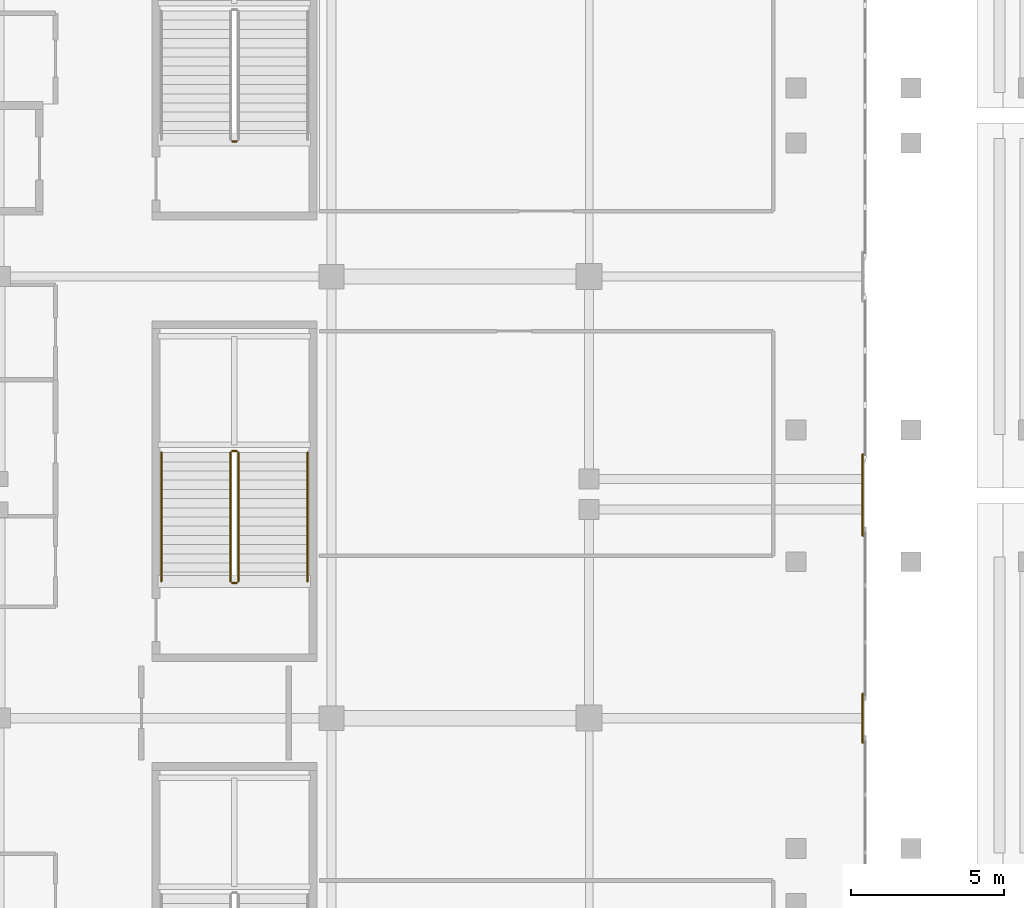
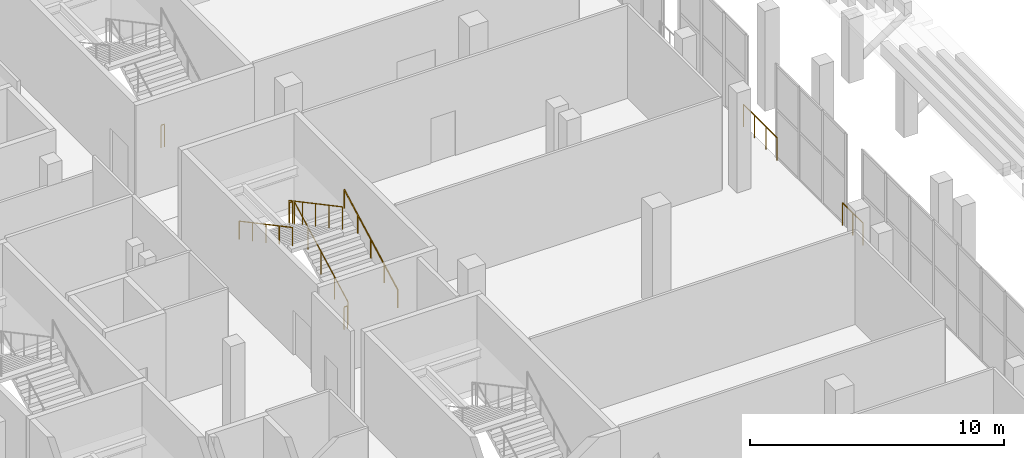
# One storey, part 121 of 142: 9 railings.
"""IFC4 building model written with IfcOpenShell, lengths in metres."""

from ifc_helpers import new_model, si_unit, direction, frame, origin, origin_2d, place, context, subcontext, project, spatial, circle, extrude, material, type_object, element, save


model = new_model("IFC4")

# Units and contexts
model_context = context("Model", 3, precision=1e-05, world=origin(), true_north=direction((0.0, 1.0)))
body_context = subcontext(model_context, "Body", "Model", "MODEL_VIEW")
ifc_project = project(units=[si_unit("LENGTHUNIT", "METRE"), si_unit("AREAUNIT", "SQUARE_METRE"), si_unit("VOLUMEUNIT", "CUBIC_METRE"), si_unit("PLANEANGLEUNIT", "RADIAN"), si_unit("MASSUNIT", "GRAM", prefix="KILO")], contexts=[model_context])

# Site, building, storey
site_placement = place(None, origin())
site = spatial("IfcSite", under=ifc_project, at=site_placement, CompositionType="ELEMENT")
building_placement = place(site_placement, origin())
building = spatial("IfcBuilding", under=site, at=building_placement, Name="Koshinbarg Plaza Stadium", CompositionType="ELEMENT")
storey_placement = place(building_placement, frame((0.0, 0.0, 10.199951171875)))
storey = spatial("IfcBuildingStorey", under=building, at=storey_placement, Name="L02", CompositionType="ELEMENT", Elevation=10.199951171875)

# Railings
ifc_material_1 = material(Name="Toughened laminated glass and stainless steel sightline balustrade", Category="steel")
railing_type_1 = type_object("IfcRailingType", Name="RL-BOWL-1100", PredefinedType="BALUSTRADE", material=ifc_material_1)
railing_1_placement = place(storey_placement, frame((63.52001953125, 77.300048828125, 0.0)))
element("IfcRailing", 1, at=railing_1_placement, inside=storey, type_object=railing_type_1, Name="L02 deck edge safety balustrade 0119", PredefinedType="BALUSTRADE", context=body_context, shape_type="SweptSolid", body=[
    extrude(circle(Radius=0.02392578125, at=origin_2d()), frame((0.0, 0.0, 1.076171875), z_axis=(0.0, -1.0, 0.0), x_axis=(1.0, 0.0, 0.0)), (0.0, 0.0, 1.0), 2.650146484375),
    extrude(circle(Radius=0.02099609375, at=origin_2d()), origin(), (0.0, 0.0, 1.0), 1.052001953125),
    extrude(circle(Radius=0.02099609375, at=origin_2d()), frame((0.0, -0.88330078125, 0.0)), (0.0, 0.0, 1.0), 1.052001953125),
    extrude(circle(Radius=0.02099609375, at=origin_2d()), frame((0.0, -1.766845703125, 0.0)), (0.0, 0.0, 1.0), 1.052001953125),
    extrude(circle(Radius=0.02099609375, at=origin_2d()), frame((0.0, -2.650146484375, 0.0)), (0.0, 0.0, 1.0), 1.052001953125),
])
railing_2_placement = place(storey_placement, frame((63.52001953125, 69.5, 0.0)))
element("IfcRailing", 2, at=railing_2_placement, inside=storey, type_object=railing_type_1, Name="L02 deck edge safety balustrade 0120", PredefinedType="BALUSTRADE", context=body_context, shape_type="SweptSolid", body=[
    extrude(circle(Radius=0.02392578125, at=origin_2d()), frame((0.0, 0.0, 1.076171875), z_axis=(0.0, -1.0, 0.0), x_axis=(1.0, 0.0, 0.0)), (0.0, 0.0, 1.0), 1.60009765625),
    extrude(circle(Radius=0.02099609375, at=origin_2d()), origin(), (0.0, 0.0, 1.0), 1.052001953125),
    extrude(circle(Radius=0.02099609375, at=origin_2d()), frame((0.0, -0.800048828125, 0.0)), (0.0, 0.0, 1.0), 1.052001953125),
    extrude(circle(Radius=0.02099609375, at=origin_2d()), frame((0.0, -1.60009765625, 0.0)), (0.0, 0.0, 1.0), 1.052001953125),
])
ifc_material_2 = material(Name="Galvanized painted steel guardrail", Category="steel")
railing_type_2 = type_object("IfcRailingType", Name="RL-GUARD-1100", PredefinedType="GUARDRAIL", material=ifc_material_2)
railing_3_placement = place(storey_placement, frame((43.159912109375, 73.159912109375, 0.16015625)))
element("IfcRailing", 3, at=railing_3_placement, inside=storey, type_object=railing_type_2, Name="L02 VX04 stair guard 1", PredefinedType="GUARDRAIL", context=body_context, shape_type="SweptSolid", body=[
    extrude(circle(Radius=0.02392578125, at=origin_2d()), frame((0.0, 0.0, 1.076171875), z_axis=(0.0, 0.882362879185, 0.470569601054), x_axis=(-1.0, 0.0, 0.0)), (0.0, 0.0, 1.0), 4.76025390625),
    extrude(circle(Radius=0.02099609375, at=origin_2d()), origin(), (0.0, 0.0, 1.0), 1.052001953125),
    extrude(circle(Radius=0.02099609375, at=origin_2d()), frame((0.0, 1.050048828125, 0.56005859375)), (0.0, 0.0, 1.0), 1.052001953125),
    extrude(circle(Radius=0.02099609375, at=origin_2d()), frame((0.0, 2.10009765625, 1.1201171875)), (0.0, 0.0, 1.0), 1.052001953125),
    extrude(circle(Radius=0.02099609375, at=origin_2d()), frame((0.0, 3.150146484375, 1.679931640625)), (0.0, 0.0, 1.0), 1.052001953125),
    extrude(circle(Radius=0.02099609375, at=origin_2d()), frame((0.0, 4.2001953125, 2.239990234375)), (0.0, 0.0, 1.0), 1.052001953125),
])
railing_4_placement = place(storey_placement, frame((43.110107421875, 77.409912109375, 2.400146484375)))
element("IfcRailing", 4, at=railing_4_placement, inside=storey, type_object=railing_type_2, Name="L02 VX04 stair guard 2", PredefinedType="GUARDRAIL", context=body_context, shape_type="SweptSolid", body=[
    extrude(circle(Radius=0.02392578125, at=origin_2d()), frame((0.0, 0.0, 1.076171875), z_axis=(-1.0, 0.0, 0.0), x_axis=(0.0, -1.0, 0.0)), (0.0, 0.0, 1.0), 0.150146484375),
    extrude(circle(Radius=0.02099609375, at=origin_2d()), origin(), (0.0, 0.0, 1.0), 1.052001953125),
    extrude(circle(Radius=0.02099609375, at=origin_2d()), frame((-0.150146484375, 0.0, 0.0)), (0.0, 0.0, 1.0), 1.052001953125),
])
railing_5_placement = place(storey_placement, frame((42.909912109375, 77.360107421875, 2.56005859375)))
element("IfcRailing", 5, at=railing_5_placement, inside=storey, type_object=railing_type_2, Name="L02 VX04 stair guard 3", PredefinedType="GUARDRAIL", context=body_context, shape_type="SweptSolid", body=[
    extrude(circle(Radius=0.02392578125, at=origin_2d()), frame((0.0, 0.0, 1.076171875), z_axis=(0.0, -0.882362879185, 0.470569601054), x_axis=(1.0, 0.0, 0.0)), (0.0, 0.0, 1.0), 4.76025390625),
    extrude(circle(Radius=0.02099609375, at=origin_2d()), origin(), (0.0, 0.0, 1.0), 1.052001953125),
    extrude(circle(Radius=0.02099609375, at=origin_2d()), frame((0.0, -1.050048828125, 0.56005859375)), (0.0, 0.0, 1.0), 1.052001953125),
    extrude(circle(Radius=0.02099609375, at=origin_2d()), frame((0.0, -2.10009765625, 1.1201171875)), (0.0, 0.0, 1.0), 1.052001953125),
    extrude(circle(Radius=0.02099609375, at=origin_2d()), frame((0.0, -3.150146484375, 1.679931640625)), (0.0, 0.0, 1.0), 1.052001953125),
    extrude(circle(Radius=0.02099609375, at=origin_2d()), frame((0.0, -4.2001953125, 2.239990234375)), (0.0, 0.0, 1.0), 1.052001953125),
])
for number, where, name in (
    (6, (43.110107421875, 73.110107421875, 0.0), "L02 VX04 stair guard 4"),
    (7, (43.110107421875, 87.510009765625, 0.0), "L02 VX05 stair guard 4"),
):
    element("IfcRailing", number, at=place(storey_placement, frame(where)), inside=storey, type_object=railing_type_2, Name=name, PredefinedType="GUARDRAIL", context=body_context, shape_type="SweptSolid", body=[
        extrude(circle(Radius=0.02392578125, at=origin_2d()), frame((0.0, 0.0, 1.076171875), z_axis=(-1.0, 0.0, 0.0), x_axis=(0.0, -1.0, 0.0)), (0.0, 0.0, 1.0), 0.150146484375),
        extrude(circle(Radius=0.02099609375, at=origin_2d()), origin(), (0.0, 0.0, 1.0), 1.052001953125),
        extrude(circle(Radius=0.02099609375, at=origin_2d()), frame((-0.150146484375, 0.0, 0.0)), (0.0, 0.0, 1.0), 1.052001953125),
    ])
ifc_material_3 = material(Name="Brushed stainless steel handrail", Category="steel")
railing_type_3 = type_object("IfcRailingType", Name="RL-HAND-900", PredefinedType="HANDRAIL", material=ifc_material_3)
railing_6_placement = place(storey_placement, frame((45.419921875, 73.159912109375, 0.16015625)))
element("IfcRailing", 8, at=railing_6_placement, inside=storey, type_object=railing_type_3, Name="L02 VX04 stair handrail 1", PredefinedType="HANDRAIL", context=body_context, shape_type="SweptSolid", body=[
    extrude(circle(Radius=0.02392578125, at=origin_2d()), frame((0.0, 0.0, 0.8759765625), z_axis=(0.0, 0.882362879185, 0.470569601054), x_axis=(-1.0, 0.0, 0.0)), (0.0, 0.0, 1.0), 4.76025390625),
    extrude(circle(Radius=0.02099609375, at=origin_2d()), origin(), (0.0, 0.0, 1.0), 0.851806640625),
    extrude(circle(Radius=0.02099609375, at=origin_2d()), frame((0.0, 1.050048828125, 0.56005859375)), (0.0, 0.0, 1.0), 0.851806640625),
    extrude(circle(Radius=0.02099609375, at=origin_2d()), frame((0.0, 2.10009765625, 1.1201171875)), (0.0, 0.0, 1.0), 0.851806640625),
    extrude(circle(Radius=0.02099609375, at=origin_2d()), frame((0.0, 3.150146484375, 1.679931640625)), (0.0, 0.0, 1.0), 0.851806640625),
    extrude(circle(Radius=0.02099609375, at=origin_2d()), frame((0.0, 4.2001953125, 2.239990234375)), (0.0, 0.0, 1.0), 0.851806640625),
])
railing_7_placement = place(storey_placement, frame((40.64990234375, 77.360107421875, 2.56005859375)))
element("IfcRailing", 9, at=railing_7_placement, inside=storey, type_object=railing_type_3, Name="L02 VX04 stair handrail 2", PredefinedType="HANDRAIL", context=body_context, shape_type="SweptSolid", body=[
    extrude(circle(Radius=0.02392578125, at=origin_2d()), frame((0.0, 0.0, 0.8759765625), z_axis=(0.0, -0.882362879185, 0.470569601054), x_axis=(1.0, 0.0, 0.0)), (0.0, 0.0, 1.0), 4.76025390625),
    extrude(circle(Radius=0.02099609375, at=origin_2d()), origin(), (0.0, 0.0, 1.0), 0.851806640625),
    extrude(circle(Radius=0.02099609375, at=origin_2d()), frame((0.0, -1.050048828125, 0.56005859375)), (0.0, 0.0, 1.0), 0.851806640625),
    extrude(circle(Radius=0.02099609375, at=origin_2d()), frame((0.0, -2.10009765625, 1.1201171875)), (0.0, 0.0, 1.0), 0.851806640625),
    extrude(circle(Radius=0.02099609375, at=origin_2d()), frame((0.0, -3.150146484375, 1.679931640625)), (0.0, 0.0, 1.0), 0.851806640625),
    extrude(circle(Radius=0.02099609375, at=origin_2d()), frame((0.0, -4.2001953125, 2.239990234375)), (0.0, 0.0, 1.0), 0.851806640625),
])

save(model, "model.ifc")
